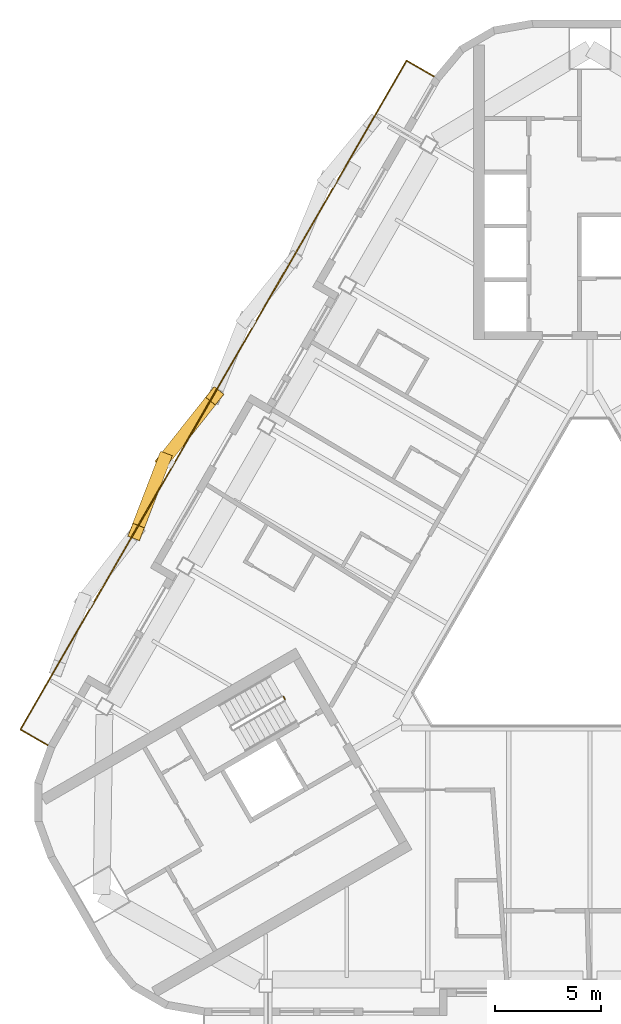
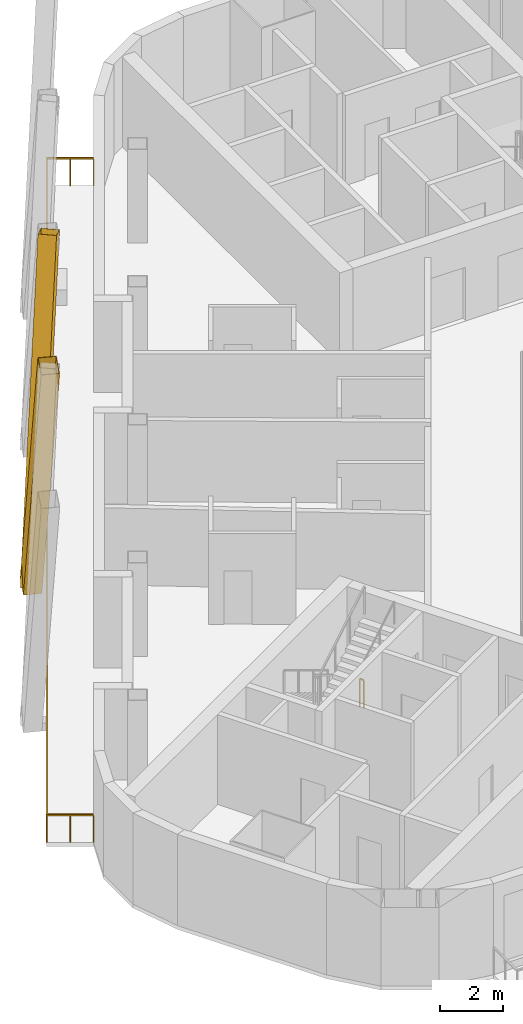
# One storey, part 11 of 14: 2 railings, 2 shading devices.
"""IFC4 building model written with IfcOpenShell, lengths in metres."""

from ifc_helpers import new_model, si_unit, direction, frame, origin, origin_2d, place, context, subcontext, project, spatial, rectangle, hollow_rectangle, extrude, material, material_profile, profile_set, type_object, element, save


model = new_model("IFC4")

# Units and contexts
model_context = context("Model", 3, precision=1e-05, world=origin(), true_north=direction((0.0, 1.0)))
body_context = subcontext(model_context, "Body", "Model", "MODEL_VIEW")
ifc_project = project(units=[si_unit("LENGTHUNIT", "METRE"), si_unit("AREAUNIT", "SQUARE_METRE"), si_unit("VOLUMEUNIT", "CUBIC_METRE"), si_unit("PLANEANGLEUNIT", "RADIAN"), si_unit("MASSUNIT", "GRAM", prefix="KILO")], contexts=[model_context])

# Site, building, storey
site_placement = place(None, origin())
site = spatial("IfcSite", under=ifc_project, at=site_placement, CompositionType="ELEMENT")
building_placement = place(site_placement, origin())
building = spatial("IfcBuilding", under=site, at=building_placement, Name="Apuvela Tower Hotel", CompositionType="ELEMENT")
storey_placement = place(building_placement, frame((0.0, 0.0, 257.800048828125)))
storey = spatial("IfcBuildingStorey", under=building, at=storey_placement, Name="L63", CompositionType="ELEMENT", Elevation=257.800048828125)

# Railing
ifc_material_1 = material(Name="Steel S275 balustrade", Category="steel")
railing_type_1 = type_object("IfcRailingType", Name="COR-GUARD-1100", PredefinedType="GUARDRAIL", material=ifc_material_1)
railing_1_placement = place(storey_placement, frame((-14.500732421875, -3.984130859375, 0.0)))
element("IfcRailing", 1, at=railing_1_placement, inside=storey, type_object=railing_type_1, Name="L63 ST2 stair guard 4", PredefinedType="GUARDRAIL", context=body_context, shape_type="SweptSolid", body=[
    extrude(rectangle(XDim=0.048095703125, YDim=0.048095703125, at=origin_2d()), frame((0.0, 0.0, 1.076171875), z_axis=(0.499816412211, -0.866131372301, 0.0), x_axis=(0.866131372301, 0.499816412211, 0.0)), (0.0, 0.0, 1.0), 0.14990234375),
    extrude(rectangle(XDim=0.0419921875, YDim=0.0419921875, at=origin_2d()), origin(), (0.0, 0.0, 1.0), 1.052001953125),
    extrude(rectangle(XDim=0.0419921875, YDim=0.0419921875, at=origin_2d()), frame((0.074951171875, -0.1298828125, 0.0)), (0.0, 0.0, 1.0), 1.052001953125),
])

# Shading devices
ifc_material_2 = material(Name="Aluminium 6063-T6, black anodised", Category="aluminium")
ifc_material_profile = material_profile(ifc_material_2, hollow_rectangle(XDim=0.60009765625, YDim=0.699951171875, WallThickness=0.011962890625, at=origin_2d()), Name="AL BOX 700x600x12")
ifc_profile_set = profile_set([ifc_material_profile], Name="Aluminium 6063-T6, black anodised")
shading_device_type = type_object("IfcShadingDeviceType", Name="ENV-FIN-700x600", PredefinedType="USERDEFINED", material=ifc_profile_set)
shading_device_1_placement = place(storey_placement, frame((-20.158935546875, 7.20947265625, -0.10009765625), z_axis=(0.204879247015, 0.258409063454, 0.94405998224), x_axis=(-0.783594919986, 0.621272083206, 0.0)))
element("IfcShadingDevice", 2, at=shading_device_1_placement, inside=storey, type_object=shading_device_type, Name="Lattice fin NW605", ObjectType="FIN", PredefinedType="USERDEFINED", context=body_context, shape_type="SweptSolid", body=[
    extrude(hollow_rectangle(XDim=0.60009765625, YDim=0.699951171875, WallThickness=0.011962890625, at=origin_2d()), origin(), (0.0, 0.0, 1.0), 11.7578125),
])
shading_device_2_placement = place(storey_placement, frame((-20.158935546875, 7.20947265625, -0.10009765625), z_axis=(-0.112340096733, -0.291641326072, 0.949907911112), x_axis=(0.933162853246, -0.359453876488, 0.0)))
element("IfcShadingDevice", 3, at=shading_device_2_placement, inside=storey, type_object=shading_device_type, Name="Lattice fin NW606", ObjectType="FIN", PredefinedType="USERDEFINED", context=body_context, shape_type="SweptSolid", body=[
    extrude(hollow_rectangle(XDim=0.60009765625, YDim=0.699951171875, WallThickness=0.011962890625, at=origin_2d()), origin(), (0.0, 0.0, 1.0), 11.685546875),
])

# Railing
ifc_material_3 = material(Name="Stainless steel 316 rail with laminated glass infill", Category="steel")
railing_type_2 = type_object("IfcRailingType", Name="ENV-GUARD-1100", PredefinedType="GUARDRAIL", material=ifc_material_3)
railing_2_placement = place(storey_placement, frame((-7.372802734375, 25.355712890625, 0.0)))
element("IfcRailing", 4, at=railing_2_placement, inside=storey, type_object=railing_type_2, Name="Balcony guard NW L63", PredefinedType="GUARDRAIL", context=body_context, shape_type="SweptSolid", body=[
    extrude(rectangle(XDim=0.050048828125, YDim=0.050048828125, at=origin_2d()), frame((0.0, 0.0, 1.0751953125), z_axis=(-0.866031096941, 0.499990139034, 0.0), x_axis=(-0.499990139034, -0.866031096941, 0.0)), (0.0, 0.0, 1.0), 1.5),
    extrude(rectangle(XDim=0.050048828125, YDim=0.050048828125, at=origin_2d()), frame((-1.299072265625, 0.75, 1.0751953125), z_axis=(-0.499999648787, -0.866025606557, 0.0), x_axis=(0.866025606557, -0.499999648787, 0.0)), (0.0, 0.0, 1.0), 36.54443359375),
    extrude(rectangle(XDim=0.050048828125, YDim=0.050048828125, at=origin_2d()), frame((-19.5712890625, -30.8984375, 1.0751953125), z_axis=(0.866031096941, -0.499990139034, 0.0), x_axis=(0.499990139034, 0.866031096941, 0.0)), (0.0, 0.0, 1.0), 1.5),
    extrude(rectangle(XDim=0.0400390625, YDim=0.0400390625, at=origin_2d()), origin(), (0.0, 0.0, 1.0), 1.050048828125),
    extrude(rectangle(XDim=0.0400390625, YDim=0.0400390625, at=origin_2d()), frame((-0.6494140625, 0.375, 0.0)), (0.0, 0.0, 1.0), 1.050048828125),
    extrude(rectangle(XDim=0.0400390625, YDim=0.0400390625, at=origin_2d()), frame((-1.299072265625, 0.75, 0.0)), (0.0, 0.0, 1.0), 1.050048828125),
    extrude(rectangle(XDim=0.0400390625, YDim=0.0400390625, at=origin_2d()), frame((-1.888427734375, -0.27099609375, 0.0)), (0.0, 0.0, 1.0), 1.050048828125),
    extrude(rectangle(XDim=0.0400390625, YDim=0.0400390625, at=origin_2d()), frame((-2.47802734375, -1.291748046875, 0.0)), (0.0, 0.0, 1.0), 1.050048828125),
    extrude(rectangle(XDim=0.0400390625, YDim=0.0400390625, at=origin_2d()), frame((-3.0673828125, -2.312744140625, 0.0)), (0.0, 0.0, 1.0), 1.050048828125),
    extrude(rectangle(XDim=0.0400390625, YDim=0.0400390625, at=origin_2d()), frame((-3.65673828125, -3.333740234375, 0.0)), (0.0, 0.0, 1.0), 1.050048828125),
    extrude(rectangle(XDim=0.0400390625, YDim=0.0400390625, at=origin_2d()), frame((-4.24609375, -4.3544921875, 0.0)), (0.0, 0.0, 1.0), 1.050048828125),
    extrude(rectangle(XDim=0.0400390625, YDim=0.0400390625, at=origin_2d()), frame((-4.835693359375, -5.37548828125, 0.0)), (0.0, 0.0, 1.0), 1.050048828125),
    extrude(rectangle(XDim=0.0400390625, YDim=0.0400390625, at=origin_2d()), frame((-5.425048828125, -6.396484375, 0.0)), (0.0, 0.0, 1.0), 1.050048828125),
    extrude(rectangle(XDim=0.0400390625, YDim=0.0400390625, at=origin_2d()), frame((-6.014404296875, -7.417236328125, 0.0)), (0.0, 0.0, 1.0), 1.050048828125),
    extrude(rectangle(XDim=0.0400390625, YDim=0.0400390625, at=origin_2d()), frame((-6.60400390625, -8.438232421875, 0.0)), (0.0, 0.0, 1.0), 1.050048828125),
    extrude(rectangle(XDim=0.0400390625, YDim=0.0400390625, at=origin_2d()), frame((-7.193359375, -9.459228515625, 0.0)), (0.0, 0.0, 1.0), 1.050048828125),
    extrude(rectangle(XDim=0.0400390625, YDim=0.0400390625, at=origin_2d()), frame((-7.78271484375, -10.47998046875, 0.0)), (0.0, 0.0, 1.0), 1.050048828125),
    extrude(rectangle(XDim=0.0400390625, YDim=0.0400390625, at=origin_2d()), frame((-8.3720703125, -11.5009765625, 0.0)), (0.0, 0.0, 1.0), 1.050048828125),
    extrude(rectangle(XDim=0.0400390625, YDim=0.0400390625, at=origin_2d()), frame((-8.961669921875, -12.52197265625, 0.0)), (0.0, 0.0, 1.0), 1.050048828125),
    extrude(rectangle(XDim=0.0400390625, YDim=0.0400390625, at=origin_2d()), frame((-9.551025390625, -13.542724609375, 0.0)), (0.0, 0.0, 1.0), 1.050048828125),
    extrude(rectangle(XDim=0.0400390625, YDim=0.0400390625, at=origin_2d()), frame((-10.140380859375, -14.563720703125, 0.0)), (0.0, 0.0, 1.0), 1.050048828125),
    extrude(rectangle(XDim=0.0400390625, YDim=0.0400390625, at=origin_2d()), frame((-10.72998046875, -15.584716796875, 0.0)), (0.0, 0.0, 1.0), 1.050048828125),
    extrude(rectangle(XDim=0.0400390625, YDim=0.0400390625, at=origin_2d()), frame((-11.3193359375, -16.605712890625, 0.0)), (0.0, 0.0, 1.0), 1.050048828125),
    extrude(rectangle(XDim=0.0400390625, YDim=0.0400390625, at=origin_2d()), frame((-11.90869140625, -17.62646484375, 0.0)), (0.0, 0.0, 1.0), 1.050048828125),
    extrude(rectangle(XDim=0.0400390625, YDim=0.0400390625, at=origin_2d()), frame((-12.498291015625, -18.6474609375, 0.0)), (0.0, 0.0, 1.0), 1.050048828125),
    extrude(rectangle(XDim=0.0400390625, YDim=0.0400390625, at=origin_2d()), frame((-13.087646484375, -19.66845703125, 0.0)), (0.0, 0.0, 1.0), 1.050048828125),
    extrude(rectangle(XDim=0.0400390625, YDim=0.0400390625, at=origin_2d()), frame((-13.677001953125, -20.689208984375, 0.0)), (0.0, 0.0, 1.0), 1.050048828125),
    extrude(rectangle(XDim=0.0400390625, YDim=0.0400390625, at=origin_2d()), frame((-14.266357421875, -21.710205078125, 0.0)), (0.0, 0.0, 1.0), 1.050048828125),
    extrude(rectangle(XDim=0.0400390625, YDim=0.0400390625, at=origin_2d()), frame((-14.85595703125, -22.731201171875, 0.0)), (0.0, 0.0, 1.0), 1.050048828125),
    extrude(rectangle(XDim=0.0400390625, YDim=0.0400390625, at=origin_2d()), frame((-15.4453125, -23.751953125, 0.0)), (0.0, 0.0, 1.0), 1.050048828125),
    extrude(rectangle(XDim=0.0400390625, YDim=0.0400390625, at=origin_2d()), frame((-16.03466796875, -24.77294921875, 0.0)), (0.0, 0.0, 1.0), 1.050048828125),
    extrude(rectangle(XDim=0.0400390625, YDim=0.0400390625, at=origin_2d()), frame((-16.624267578125, -25.7939453125, 0.0)), (0.0, 0.0, 1.0), 1.050048828125),
    extrude(rectangle(XDim=0.0400390625, YDim=0.0400390625, at=origin_2d()), frame((-17.213623046875, -26.814697265625, 0.0)), (0.0, 0.0, 1.0), 1.050048828125),
    extrude(rectangle(XDim=0.0400390625, YDim=0.0400390625, at=origin_2d()), frame((-17.802978515625, -27.835693359375, 0.0)), (0.0, 0.0, 1.0), 1.050048828125),
    extrude(rectangle(XDim=0.0400390625, YDim=0.0400390625, at=origin_2d()), frame((-18.392333984375, -28.856689453125, 0.0)), (0.0, 0.0, 1.0), 1.050048828125),
    extrude(rectangle(XDim=0.0400390625, YDim=0.0400390625, at=origin_2d()), frame((-18.98193359375, -29.87744140625, 0.0)), (0.0, 0.0, 1.0), 1.050048828125),
    extrude(rectangle(XDim=0.0400390625, YDim=0.0400390625, at=origin_2d()), frame((-19.5712890625, -30.8984375, 0.0)), (0.0, 0.0, 1.0), 1.050048828125),
    extrude(rectangle(XDim=0.0400390625, YDim=0.0400390625, at=origin_2d()), frame((-18.921875, -31.2734375, 0.0)), (0.0, 0.0, 1.0), 1.050048828125),
    extrude(rectangle(XDim=0.0400390625, YDim=0.0400390625, at=origin_2d()), frame((-18.272216796875, -31.6484375, 0.0)), (0.0, 0.0, 1.0), 1.050048828125),
])

save(model, "model.ifc")
